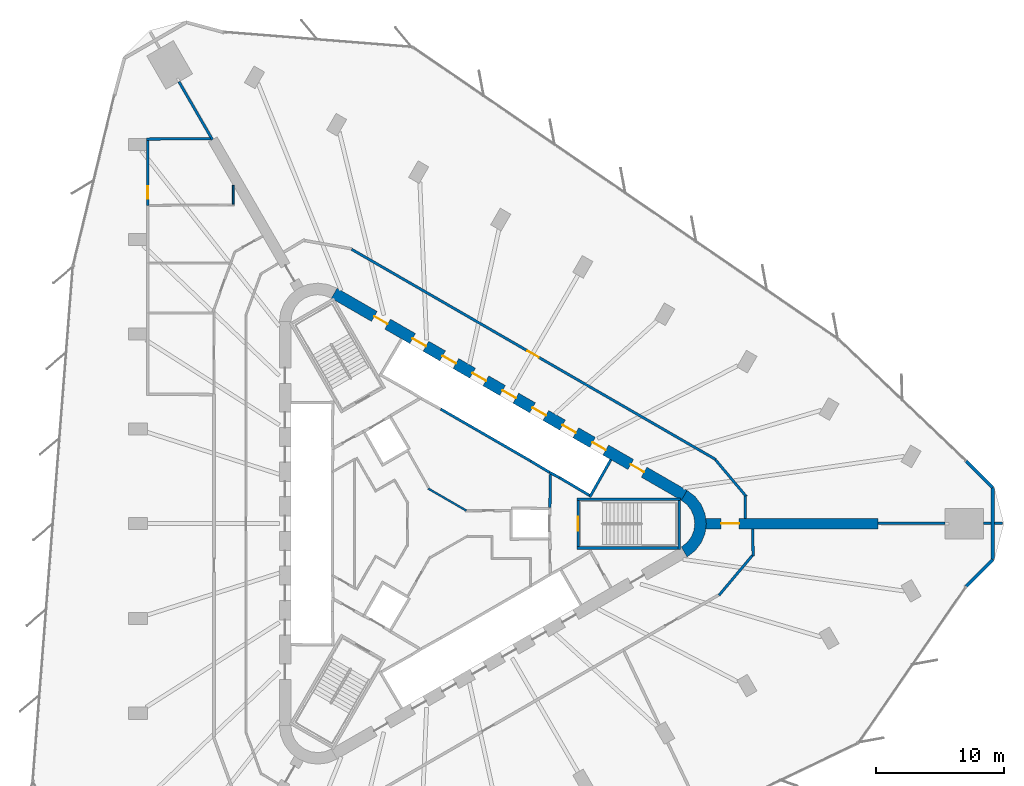
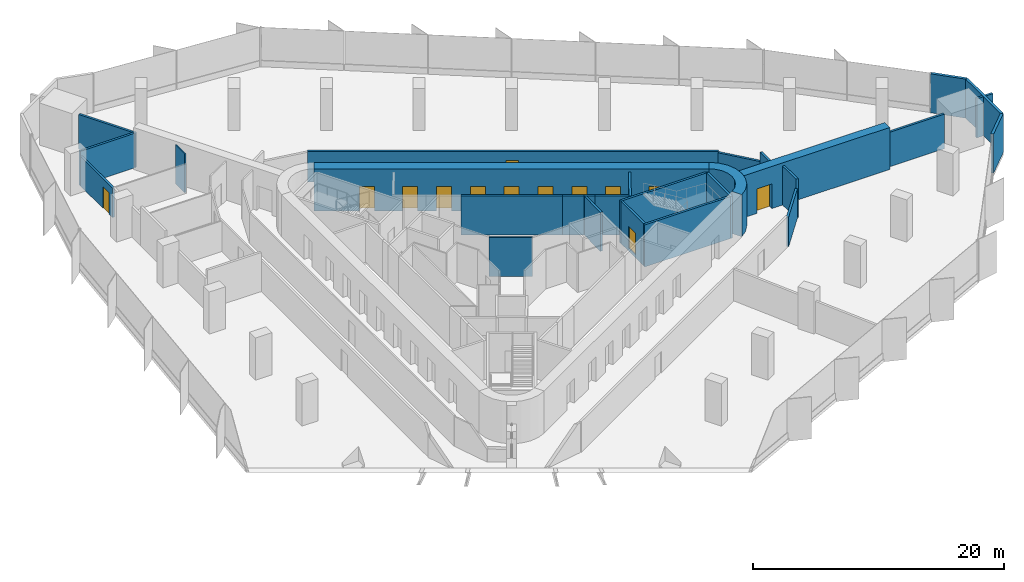
# One storey, part 12 of 14: 29 walls, 13 doors, 13 openings.
"""IFC4 building model written with IfcOpenShell, lengths in metres."""

from ifc_helpers import new_model, si_unit, direction, frame, frame_2d, origin, place, context, subcontext, project, spatial, polyline, rectangle, outline, extrude, material, layer, layer_set, type_object, element, fill, save


model = new_model("IFC4")

# Units and contexts
model_context = context("Model", 3, precision=1e-05, world=origin(), true_north=direction((0.0, 1.0)))
body_context = subcontext(model_context, "Body", "Model", "MODEL_VIEW")
ifc_project = project(units=[si_unit("LENGTHUNIT", "METRE"), si_unit("AREAUNIT", "SQUARE_METRE"), si_unit("VOLUMEUNIT", "CUBIC_METRE"), si_unit("PLANEANGLEUNIT", "RADIAN"), si_unit("MASSUNIT", "GRAM", prefix="KILO")], contexts=[model_context])

# Site, building, storey
site_placement = place(None, origin())
site = spatial("IfcSite", under=ifc_project, at=site_placement, CompositionType="ELEMENT")
building_placement = place(site_placement, origin())
building = spatial("IfcBuilding", under=site, at=building_placement, Name="Tanit Gate Tower", CompositionType="ELEMENT")
storey_placement = place(building_placement, frame((0.0, 0.0, 82.39990234375)))
storey = spatial("IfcBuildingStorey", under=building, at=storey_placement, Name="L16", CompositionType="ELEMENT", Elevation=82.39990234375)

# Wall, opening, door
ifc_material_1 = material(Name="Concrete C60/75", Category="concrete")
ifc_layer_1 = layer(ifc_material_1, 0.800048828125)
ifc_layer_set_1 = layer_set([ifc_layer_1], Name="BUTTRESS FIN 800 C60/75")
wall_type_1 = type_object("IfcWallType", Name="BUTTRESS FIN 800 C60/75", PredefinedType="SHEAR", material=ifc_layer_set_1)
wall_1_placement = place(storey_placement, frame((21.14990234375, 0.0, 0.0), z_axis=(0.0, 0.0, 1.0), x_axis=(1.0, 0.0, 0.0)))
wall_1 = element("IfcWall", 1, at=wall_1_placement, inside=storey, type_object=wall_type_1, Name="BUTTRESS FIN", PredefinedType="SHEAR", context=body_context, shape_type="SweptSolid", body=[
    extrude(rectangle(XDim=13.455322265625, YDim=0.800048828125, at=frame_2d((6.7275390625, 0.0))), origin(), (0.0, 0.0, 1.0), 4.10009765625),
])
opening_1_placement = place(wall_1_placement, frame((1.199951171875, 0.0, 0.0)))
opening_1 = element("IfcOpeningElement", 2, at=opening_1_placement, cuts=wall_1, Name="Opening P14-S03-F-E-1", PredefinedType="OPENING", context=body_context, shape_type="SweptSolid", body=[
    extrude(rectangle(XDim=1.39990234375, YDim=2.39990234375, at=frame_2d((0.699951171875, 1.199951171875))), frame((0.0, 0.41015625, 0.0), z_axis=(0.0, -1.0, 0.0), x_axis=(1.0, 0.0, 0.0)), (0.0, 0.0, 1.0), 0.820068359375),
])
ifc_material_2 = material(Name="Timber door leaf", Category="wood")
door_type_1 = type_object("IfcDoorType", Name="INT-DOOR-FIN-PAIR-1400", OperationType="NOTDEFINED", PredefinedType="NOTDEFINED", material=ifc_material_2)
door_1_placement = place(opening_1_placement, origin())
door_1 = element("IfcDoor", 3, at=door_1_placement, inside=storey, type_object=door_type_1, Name="Door P14-S03-F-E-1", OperationType="DOUBLE_DOOR_SINGLE_SWING", OverallHeight=2.39990234375, OverallWidth=1.39990234375, PredefinedType="NOTDEFINED", context=body_context, shape_type="SweptSolid", body=[
    extrude(rectangle(XDim=1.39990234375, YDim=2.39990234375, at=frame_2d((0.699951171875, 1.199951171875))), frame((0.0, 0.02490234375, 0.0), z_axis=(0.0, -1.0, 0.0), x_axis=(1.0, 0.0, 0.0)), (0.0, 0.0, 1.0), 0.050048828125),
])
fill(opening_1, door_1)

# Wall, openings, doors
ifc_material_3 = material(Name="Concrete C60/75", Category="concrete")
ifc_layer_2 = layer(ifc_material_3, 0.89990234375)
ifc_layer_set_2 = layer_set([ifc_layer_2], Name="CORE WALL 900 C60/75")
wall_type_2 = type_object("IfcWallType", Name="CORE WALL 900 C60/75", PredefinedType="SHEAR", material=ifc_layer_set_2)
wall_2_placement = place(storey_placement, frame((19.47509765625, 2.20849609375, 0.0), z_axis=(0.0, 0.0, 1.0), x_axis=(-0.866028369851, 0.499994862586, 0.0)))
wall_2 = element("IfcWall", 4, at=wall_2_placement, inside=storey, type_object=wall_type_2, Name="CORE WALL", PredefinedType="SHEAR", context=body_context, shape_type="SweptSolid", body=[
    extrude(rectangle(XDim=31.523193359375, YDim=0.89990234375, at=frame_2d((15.76171875, 0.0))), origin(), (0.0, 0.0, 1.0), 4.10009765625),
])
opening_2_placement = place(wall_2_placement, frame((7.0615234375, 0.0, 0.0)))
opening_2 = element("IfcOpeningElement", 5, at=opening_2_placement, cuts=wall_2, Name="Opening LDLL8-S03", PredefinedType="OPENING", context=body_context, shape_type="SweptSolid", body=[
    extrude(rectangle(XDim=1.199951171875, YDim=2.39990234375, at=frame_2d((0.60009765625, 1.199951171875))), frame((0.0, 0.4599609375, 0.0), z_axis=(0.0, -1.0, 0.0), x_axis=(1.0, 0.0, 0.0)), (0.0, 0.0, 1.0), 0.919921875),
])
opening_3_placement = place(wall_2_placement, frame((9.76171875, 0.0, 0.0)))
opening_3 = element("IfcOpeningElement", 6, at=opening_3_placement, cuts=wall_2, Name="Opening LDLL9-S03", PredefinedType="OPENING", context=body_context, shape_type="SweptSolid", body=[
    extrude(rectangle(XDim=1.199951171875, YDim=2.39990234375, at=frame_2d((0.60009765625, 1.199951171875))), frame((0.0, 0.4599609375, 0.0), z_axis=(0.0, -1.0, 0.0), x_axis=(1.0, 0.0, 0.0)), (0.0, 0.0, 1.0), 0.919921875),
])
opening_4_placement = place(wall_2_placement, frame((12.461669921875, 0.0, 0.0)))
opening_4 = element("IfcOpeningElement", 7, at=opening_4_placement, cuts=wall_2, Name="Opening LDLL10-S03", PredefinedType="OPENING", context=body_context, shape_type="SweptSolid", body=[
    extrude(rectangle(XDim=1.199951171875, YDim=2.39990234375, at=frame_2d((0.60009765625, 1.199951171875))), frame((0.0, 0.4599609375, 0.0), z_axis=(0.0, -1.0, 0.0), x_axis=(1.0, 0.0, 0.0)), (0.0, 0.0, 1.0), 0.919921875),
])
opening_5_placement = place(wall_2_placement, frame((15.16162109375, 0.0, 0.0)))
opening_5 = element("IfcOpeningElement", 8, at=opening_5_placement, cuts=wall_2, Name="Opening LDSL1-S03", PredefinedType="OPENING", context=body_context, shape_type="SweptSolid", body=[
    extrude(rectangle(XDim=1.199951171875, YDim=2.39990234375, at=frame_2d((0.60009765625, 1.199951171875))), frame((0.0, 0.4599609375, 0.0), z_axis=(0.0, -1.0, 0.0), x_axis=(1.0, 0.0, 0.0)), (0.0, 0.0, 1.0), 0.919921875),
])
opening_6_placement = place(wall_2_placement, frame((17.861572265625, 0.0, 0.0)))
opening_6 = element("IfcOpeningElement", 9, at=opening_6_placement, cuts=wall_2, Name="Opening LDSL2-S03", PredefinedType="OPENING", context=body_context, shape_type="SweptSolid", body=[
    extrude(rectangle(XDim=1.199951171875, YDim=2.39990234375, at=frame_2d((0.60009765625, 1.199951171875))), frame((0.0, 0.4599609375, 0.0), z_axis=(0.0, -1.0, 0.0), x_axis=(1.0, 0.0, 0.0)), (0.0, 0.0, 1.0), 0.919921875),
])
opening_7_placement = place(wall_2_placement, frame((20.5615234375, 0.0, 0.0)))
opening_7 = element("IfcOpeningElement", 10, at=opening_7_placement, cuts=wall_2, Name="Opening LDSL3-S03", PredefinedType="OPENING", context=body_context, shape_type="SweptSolid", body=[
    extrude(rectangle(XDim=1.199951171875, YDim=2.39990234375, at=frame_2d((0.60009765625, 1.199951171875))), frame((0.0, 0.4599609375, 0.0), z_axis=(0.0, -1.0, 0.0), x_axis=(1.0, 0.0, 0.0)), (0.0, 0.0, 1.0), 0.919921875),
])
opening_8_placement = place(wall_2_placement, frame((23.26171875, 0.0, 0.0)))
opening_8 = element("IfcOpeningElement", 11, at=opening_8_placement, cuts=wall_2, Name="Opening LDSL4-S03", PredefinedType="OPENING", context=body_context, shape_type="SweptSolid", body=[
    extrude(rectangle(XDim=1.199951171875, YDim=2.39990234375, at=frame_2d((0.60009765625, 1.199951171875))), frame((0.0, 0.4599609375, 0.0), z_axis=(0.0, -1.0, 0.0), x_axis=(1.0, 0.0, 0.0)), (0.0, 0.0, 1.0), 0.919921875),
])
opening_9_placement = place(wall_2_placement, frame((3.611572265625, 0.0, 0.0)))
opening_9 = element("IfcOpeningElement", 12, at=opening_9_placement, cuts=wall_2, Name="Opening F12-S03-FL1", PredefinedType="OPENING", context=body_context, shape_type="SweptSolid", body=[
    extrude(rectangle(XDim=1.199951171875, YDim=2.39990234375, at=frame_2d((0.60009765625, 1.199951171875))), frame((0.0, 0.4599609375, 0.0), z_axis=(0.0, -1.0, 0.0), x_axis=(1.0, 0.0, 0.0)), (0.0, 0.0, 1.0), 0.919921875),
])
opening_10_placement = place(wall_2_placement, frame((26.711669921875, 0.0, 0.0)))
opening_10 = element("IfcOpeningElement", 13, at=opening_10_placement, cuts=wall_2, Name="Opening F12-S03-S2", PredefinedType="OPENING", context=body_context, shape_type="SweptSolid", body=[
    extrude(rectangle(XDim=1.199951171875, YDim=2.39990234375, at=frame_2d((0.60009765625, 1.199951171875))), frame((0.0, 0.4599609375, 0.0), z_axis=(0.0, -1.0, 0.0), x_axis=(1.0, 0.0, 0.0)), (0.0, 0.0, 1.0), 0.919921875),
])
ifc_material_4 = material(Name="Fire-rated steel door leaf", Category="steel")
door_type_2 = type_object("IfcDoorType", Name="INT-DOOR-FIRE-LOBBY-1200", OperationType="NOTDEFINED", PredefinedType="USERDEFINED", material=ifc_material_4)
door_2_placement = place(opening_9_placement, origin())
door_2 = element("IfcDoor", 14, at=door_2_placement, inside=storey, type_object=door_type_2, Name="Door F12-S03-FL1", ObjectType="FIRE DOOR", OperationType="SINGLE_SWING_LEFT", OverallHeight=2.39990234375, OverallWidth=1.199951171875, PredefinedType="USERDEFINED", context=body_context, shape_type="SweptSolid", body=[
    extrude(rectangle(XDim=1.199951171875, YDim=2.39990234375, at=frame_2d((0.60009765625, 1.199951171875))), frame((0.0, 0.02490234375, 0.0), z_axis=(0.0, -1.0, 0.0), x_axis=(1.0, 0.0, 0.0)), (0.0, 0.0, 1.0), 0.050048828125),
])
fill(opening_9, door_2)
door_3_placement = place(opening_10_placement, origin())
door_3 = element("IfcDoor", 15, at=door_3_placement, inside=storey, type_object=door_type_2, Name="Door F12-S03-S2", ObjectType="FIRE DOOR", OperationType="SINGLE_SWING_LEFT", OverallHeight=2.39990234375, OverallWidth=1.199951171875, PredefinedType="USERDEFINED", context=body_context, shape_type="SweptSolid", body=[
    extrude(rectangle(XDim=1.199951171875, YDim=2.39990234375, at=frame_2d((0.60009765625, 1.199951171875))), frame((0.0, 0.02490234375, 0.0), z_axis=(0.0, -1.0, 0.0), x_axis=(1.0, 0.0, 0.0)), (0.0, 0.0, 1.0), 0.050048828125),
])
fill(opening_10, door_3)
ifc_material_5 = material(Name="Stainless steel sliding door leaf", Category="steel")
door_type_3 = type_object("IfcDoorType", Name="INT-DOOR-LANDING-1200", OperationType="NOTDEFINED", PredefinedType="USERDEFINED", material=ifc_material_5)
door_4_placement = place(opening_2_placement, origin())
door_4 = element("IfcDoor", 16, at=door_4_placement, inside=storey, type_object=door_type_3, Name="Door LDLL8-S03", ObjectType="LANDING DOOR", OperationType="SLIDING_TO_LEFT", OverallHeight=2.39990234375, OverallWidth=1.199951171875, PredefinedType="USERDEFINED", context=body_context, shape_type="SweptSolid", body=[
    extrude(rectangle(XDim=1.199951171875, YDim=2.39990234375, at=frame_2d((0.60009765625, 1.199951171875))), frame((0.0, 0.02490234375, 0.0), z_axis=(0.0, -1.0, 0.0), x_axis=(1.0, 0.0, 0.0)), (0.0, 0.0, 1.0), 0.050048828125),
])
fill(opening_2, door_4)
door_5_placement = place(opening_3_placement, origin())
door_5 = element("IfcDoor", 17, at=door_5_placement, inside=storey, type_object=door_type_3, Name="Door LDLL9-S03", ObjectType="LANDING DOOR", OperationType="SLIDING_TO_LEFT", OverallHeight=2.39990234375, OverallWidth=1.199951171875, PredefinedType="USERDEFINED", context=body_context, shape_type="SweptSolid", body=[
    extrude(rectangle(XDim=1.199951171875, YDim=2.39990234375, at=frame_2d((0.60009765625, 1.199951171875))), frame((0.0, 0.02490234375, 0.0), z_axis=(0.0, -1.0, 0.0), x_axis=(1.0, 0.0, 0.0)), (0.0, 0.0, 1.0), 0.050048828125),
])
fill(opening_3, door_5)
door_6_placement = place(opening_4_placement, origin())
door_6 = element("IfcDoor", 18, at=door_6_placement, inside=storey, type_object=door_type_3, Name="Door LDLL10-S03", ObjectType="LANDING DOOR", OperationType="SLIDING_TO_LEFT", OverallHeight=2.39990234375, OverallWidth=1.199951171875, PredefinedType="USERDEFINED", context=body_context, shape_type="SweptSolid", body=[
    extrude(rectangle(XDim=1.199951171875, YDim=2.39990234375, at=frame_2d((0.60009765625, 1.199951171875))), frame((0.0, 0.02490234375, 0.0), z_axis=(0.0, -1.0, 0.0), x_axis=(1.0, 0.0, 0.0)), (0.0, 0.0, 1.0), 0.050048828125),
])
fill(opening_4, door_6)
door_7_placement = place(opening_5_placement, origin())
door_7 = element("IfcDoor", 19, at=door_7_placement, inside=storey, type_object=door_type_3, Name="Door LDSL1-S03", ObjectType="LANDING DOOR", OperationType="SLIDING_TO_LEFT", OverallHeight=2.39990234375, OverallWidth=1.199951171875, PredefinedType="USERDEFINED", context=body_context, shape_type="SweptSolid", body=[
    extrude(rectangle(XDim=1.199951171875, YDim=2.39990234375, at=frame_2d((0.60009765625, 1.199951171875))), frame((0.0, 0.02490234375, 0.0), z_axis=(0.0, -1.0, 0.0), x_axis=(1.0, 0.0, 0.0)), (0.0, 0.0, 1.0), 0.050048828125),
])
fill(opening_5, door_7)
door_8_placement = place(opening_6_placement, origin())
door_8 = element("IfcDoor", 20, at=door_8_placement, inside=storey, type_object=door_type_3, Name="Door LDSL2-S03", ObjectType="LANDING DOOR", OperationType="SLIDING_TO_LEFT", OverallHeight=2.39990234375, OverallWidth=1.199951171875, PredefinedType="USERDEFINED", context=body_context, shape_type="SweptSolid", body=[
    extrude(rectangle(XDim=1.199951171875, YDim=2.39990234375, at=frame_2d((0.60009765625, 1.199951171875))), frame((0.0, 0.02490234375, 0.0), z_axis=(0.0, -1.0, 0.0), x_axis=(1.0, 0.0, 0.0)), (0.0, 0.0, 1.0), 0.050048828125),
])
fill(opening_6, door_8)
door_9_placement = place(opening_7_placement, origin())
door_9 = element("IfcDoor", 21, at=door_9_placement, inside=storey, type_object=door_type_3, Name="Door LDSL3-S03", ObjectType="LANDING DOOR", OperationType="SLIDING_TO_LEFT", OverallHeight=2.39990234375, OverallWidth=1.199951171875, PredefinedType="USERDEFINED", context=body_context, shape_type="SweptSolid", body=[
    extrude(rectangle(XDim=1.199951171875, YDim=2.39990234375, at=frame_2d((0.60009765625, 1.199951171875))), frame((0.0, 0.02490234375, 0.0), z_axis=(0.0, -1.0, 0.0), x_axis=(1.0, 0.0, 0.0)), (0.0, 0.0, 1.0), 0.050048828125),
])
fill(opening_7, door_9)
door_10_placement = place(opening_8_placement, origin())
door_10 = element("IfcDoor", 22, at=door_10_placement, inside=storey, type_object=door_type_3, Name="Door LDSL4-S03", ObjectType="LANDING DOOR", OperationType="SLIDING_TO_LEFT", OverallHeight=2.39990234375, OverallWidth=1.199951171875, PredefinedType="USERDEFINED", context=body_context, shape_type="SweptSolid", body=[
    extrude(rectangle(XDim=1.199951171875, YDim=2.39990234375, at=frame_2d((0.60009765625, 1.199951171875))), frame((0.0, 0.02490234375, 0.0), z_axis=(0.0, -1.0, 0.0), x_axis=(1.0, 0.0, 0.0)), (0.0, 0.0, 1.0), 0.050048828125),
])
fill(opening_8, door_10)

# Walls
wall_3_placement = place(storey_placement, origin())
element("IfcWall", 23, at=wall_3_placement, inside=storey, type_object=wall_type_2, Name="CORE WALL CORNER", PredefinedType="SHEAR", context=body_context, shape_type="SweptSolid", body=[
    extrude(outline(polyline([(19.699951171875, -2.59814453125), (20.3212890625, -2.121337890625), (20.798095703125, -1.5), (21.097900390625, -0.776611328125), (21.199951171875, 0.0), (21.097900390625, 0.776611328125), (20.798095703125, 1.5), (20.3212890625, 2.121337890625), (19.699951171875, 2.59814453125), (19.25, 1.818603515625), (19.684814453125, 1.48486328125), (20.018798828125, 1.050048828125), (20.228515625, 0.54345703125), (20.300048828125, 0.0), (20.228515625, -0.54345703125), (20.018798828125, -1.050048828125), (19.684814453125, -1.48486328125), (19.25, -1.818603515625), (19.699951171875, -2.59814453125)])), origin(), (0.0, 0.0, 1.0), 4.10009765625),
])
ifc_material_6 = material(Name="Concrete C30/37 with bronze anodised aluminium cladding", Category="concrete")
ifc_layer_3 = layer(ifc_material_6, 0.239990234375)
ifc_layer_set_3 = layer_set([ifc_layer_3], Name="Facade wall bronze clad 240")
wall_type_3 = type_object("IfcWallType", Name="Facade wall bronze clad 240", PredefinedType="SOLIDWALL", material=ifc_layer_set_3)
wall_4_placement = place(storey_placement, frame((41.4580078125, -4.889892578125, 0.0), z_axis=(0.0, 0.0, 1.0), x_axis=(0.707106781187, 0.707106781187, 0.0)))
element("IfcWall", 24, at=wall_4_placement, inside=storey, type_object=wall_type_3, Name="Bronze-clad facade wall L16 E.arc1", PredefinedType="SOLIDWALL", context=body_context, shape_type="SweptSolid", body=[
    extrude(rectangle(XDim=2.947998046875, YDim=0.239990234375, at=frame_2d((1.47412109375, 0.0))), origin(), (0.0, 0.0, 1.0), 3.800048828125),
])
wall_5_placement = place(storey_placement, frame((43.54248046875, -2.805419921875, 0.0), z_axis=(0.0, 0.0, 1.0), x_axis=(0.0, 1.0, 0.0)))
element("IfcWall", 25, at=wall_5_placement, inside=storey, type_object=wall_type_3, Name="Bronze-clad facade wall L16 E.arc2", PredefinedType="SOLIDWALL", context=body_context, shape_type="SweptSolid", body=[
    extrude(rectangle(XDim=5.61083984375, YDim=0.239990234375, at=frame_2d((2.805419921875, 0.0))), origin(), (0.0, 0.0, 1.0), 3.800048828125),
])
wall_6_placement = place(storey_placement, frame((43.54248046875, 2.805419921875, 0.0), z_axis=(0.0, 0.0, 1.0), x_axis=(-0.707106781187, 0.707106781187, 0.0)))
element("IfcWall", 26, at=wall_6_placement, inside=storey, type_object=wall_type_3, Name="Bronze-clad facade wall L16 E.arc3", PredefinedType="SOLIDWALL", context=body_context, shape_type="SweptSolid", body=[
    extrude(rectangle(XDim=2.935546875, YDim=0.239990234375, at=frame_2d((1.4677734375, 0.0))), origin(), (0.0, 0.0, 1.0), 3.800048828125),
])
ifc_material_7 = material(Name="Fire-rated gypsum board partition")
ifc_layer_4 = layer(ifc_material_7, 0.199951171875)
ifc_layer_set_4 = layer_set([ifc_layer_4], Name="INT-WALL-COMPARTMENT")
wall_type_4 = type_object("IfcWallType", Name="INT-WALL-COMPARTMENT", PredefinedType="PARTITIONING", material=ifc_layer_set_4)
wall_7_placement = place(storey_placement, frame((9.0009765625, 1.27001953125, 0.0), z_axis=(0.0, 0.0, 1.0), x_axis=(0.010784614026, 0.999941844359, 0.0)))
element("IfcWall", 27, at=wall_7_placement, inside=storey, type_object=wall_type_4, Name="Wall Compartment W059", PredefinedType="PARTITIONING", context=body_context, shape_type="SweptSolid", body=[
    extrude(rectangle(XDim=2.580810546875, YDim=0.199951171875, at=frame_2d((1.29052734375, 0.0))), origin(), (0.0, 0.0, 1.0), 3.800048828125),
])

# Wall, opening, door
wall_8_placement = place(storey_placement, frame((21.944091796875, 4.99755859375, 0.0), z_axis=(0.0, 0.0, 1.0), x_axis=(-0.866025615729, 0.499999632902, 0.0)))
wall_8 = element("IfcWall", 28, at=wall_8_placement, inside=storey, type_object=wall_type_4, Name="Wall Compartment W098", PredefinedType="PARTITIONING", context=body_context, shape_type="SweptSolid", body=[
    extrude(rectangle(XDim=32.810546875, YDim=0.199951171875, at=frame_2d((16.4052734375, 0.0))), origin(), (0.0, 0.0, 1.0), 2.97998046875),
])
opening_11_placement = place(wall_8_placement, frame((15.955322265625, 0.0, 0.0)))
opening_11 = element("IfcOpeningElement", 29, at=opening_11_placement, cuts=wall_8, Name="Opening F10-S03-21", PredefinedType="OPENING", context=body_context, shape_type="SweptSolid", body=[
    extrude(rectangle(XDim=1.0, YDim=2.10009765625, at=frame_2d((0.5, 1.050048828125))), frame((0.0, 0.10986328125, 0.0), z_axis=(0.0, -1.0, 0.0), x_axis=(1.0, 0.0, 0.0)), (0.0, 0.0, 1.0), 0.219970703125),
])
ifc_material_8 = material(Name="Fire-rated steel door leaf", Category="steel")
door_type_4 = type_object("IfcDoorType", Name="INT-DOOR-FIRE-1000", OperationType="NOTDEFINED", PredefinedType="USERDEFINED", material=ifc_material_8)
door_11_placement = place(opening_11_placement, origin())
door_11 = element("IfcDoor", 30, at=door_11_placement, inside=storey, type_object=door_type_4, Name="Door F10-S03-21", ObjectType="FIRE DOOR", OperationType="SINGLE_SWING_RIGHT", OverallHeight=2.10009765625, OverallWidth=1.0, PredefinedType="USERDEFINED", context=body_context, shape_type="SweptSolid", body=[
    extrude(rectangle(XDim=1.0, YDim=2.10009765625, at=frame_2d((0.5, 1.050048828125))), frame((0.0, 0.02490234375, 0.0), z_axis=(0.0, -1.0, 0.0), x_axis=(1.0, 0.0, 0.0)), (0.0, 0.0, 1.0), 0.050048828125),
])
fill(opening_11, door_11)

# Walls
wall_9_placement = place(storey_placement, frame((24.32080078125, 2.11181640625, 0.0), z_axis=(0.0, 0.0, 1.0), x_axis=(-0.642799287091, 0.766034644461, 0.0)))
element("IfcWall", 31, at=wall_9_placement, inside=storey, type_object=wall_type_4, Name="Wall Compartment W099", PredefinedType="PARTITIONING", context=body_context, shape_type="SweptSolid", body=[
    extrude(rectangle(XDim=3.732421875, YDim=0.199951171875, at=frame_2d((1.8662109375, 0.0))), origin(), (0.0, 0.0, 1.0), 2.880126953125),
])
wall_10_placement = place(storey_placement, frame((24.2216796875, 0.39990234375, 0.0), z_axis=(0.0, 0.0, 1.0), x_axis=(0.013657262725, 0.999906735238, 0.0)))
element("IfcWall", 32, at=wall_10_placement, inside=storey, type_object=wall_type_4, Name="Wall Compartment W100", PredefinedType="PARTITIONING", context=body_context, shape_type="SweptSolid", body=[
    extrude(rectangle(XDim=1.751953125, YDim=0.199951171875, at=frame_2d((0.8759765625, 0.0))), origin(), (0.0, 0.0, 1.0), 3.800048828125),
])
wall_11_placement = place(storey_placement, frame((24.84765625, -2.53515625, 0.0), z_axis=(0.0, 0.0, 1.0), x_axis=(-0.012347560796, 0.999923765965, 0.0)))
element("IfcWall", 33, at=wall_11_placement, inside=storey, type_object=wall_type_4, Name="Wall Compartment W101", PredefinedType="PARTITIONING", context=body_context, shape_type="SweptSolid", body=[
    extrude(rectangle(XDim=2.135498046875, YDim=0.199951171875, at=frame_2d((1.06787109375, 0.0))), origin(), (0.0, 0.0, 1.0), 3.800048828125),
])
wall_12_placement = place(storey_placement, frame((22.184814453125, -5.5908203125, 0.0), z_axis=(0.0, 0.0, 1.0), x_axis=(0.642774966428, 0.766055051894, 0.0)))
element("IfcWall", 34, at=wall_12_placement, inside=storey, type_object=wall_type_4, Name="Wall Compartment W102", PredefinedType="PARTITIONING", context=body_context, shape_type="SweptSolid", body=[
    extrude(rectangle(XDim=4.091552734375, YDim=0.199951171875, at=frame_2d((2.0458984375, 0.0))), origin(), (0.0, 0.0, 1.0), 2.880126953125),
])
wall_13_placement = place(storey_placement, frame((-19.93505859375, 34.46875, 0.0), z_axis=(0.0, 0.0, 1.0), x_axis=(0.49998731371, -0.866032728093, 0.0)))
element("IfcWall", 35, at=wall_13_placement, inside=storey, type_object=wall_type_4, Name="Wall Compartment W108", PredefinedType="PARTITIONING", context=body_context, shape_type="SweptSolid", body=[
    extrude(rectangle(XDim=5.213134765625, YDim=0.199951171875, at=frame_2d((2.6064453125, 0.0))), origin(), (0.0, 0.0, 1.0), 3.3701171875),
])

# Wall, opening, door
wall_14_placement = place(storey_placement, frame((-22.3701171875, 24.8291015625, 0.0), z_axis=(0.0, 0.0, 1.0), x_axis=(0.0, 1.0, 0.0)))
wall_14 = element("IfcWall", 36, at=wall_14_placement, inside=storey, type_object=wall_type_4, Name="Wall Compartment W116", PredefinedType="PARTITIONING", context=body_context, shape_type="SweptSolid", body=[
    extrude(rectangle(XDim=5.07080078125, YDim=0.199951171875, at=frame_2d((2.535400390625, 0.0))), origin(), (0.0, 0.0, 1.0), 2.880126953125),
])
opening_12_placement = place(wall_14_placement, frame((0.5, 0.0, 0.0)))
opening_12 = element("IfcOpeningElement", 37, at=opening_12_placement, cuts=wall_14, Name="Opening F10-S03-19", PredefinedType="OPENING", context=body_context, shape_type="SweptSolid", body=[
    extrude(rectangle(XDim=1.0, YDim=2.10009765625, at=frame_2d((0.5, 1.050048828125))), frame((0.0, 0.10986328125, 0.0), z_axis=(0.0, -1.0, 0.0), x_axis=(1.0, 0.0, 0.0)), (0.0, 0.0, 1.0), 0.219970703125),
])
door_12_placement = place(opening_12_placement, origin())
door_12 = element("IfcDoor", 38, at=door_12_placement, inside=storey, type_object=door_type_4, Name="Door F10-S03-19", ObjectType="FIRE DOOR", OperationType="SINGLE_SWING_RIGHT", OverallHeight=2.10009765625, OverallWidth=1.0, PredefinedType="USERDEFINED", context=body_context, shape_type="SweptSolid", body=[
    extrude(rectangle(XDim=1.0, YDim=2.10009765625, at=frame_2d((0.5, 1.050048828125))), frame((0.0, 0.02490234375, 0.0), z_axis=(0.0, -1.0, 0.0), x_axis=(1.0, 0.0, 0.0)), (0.0, 0.0, 1.0), 0.050048828125),
])
fill(opening_12, door_12)

# Walls
wall_15_placement = place(storey_placement, frame((-17.4873046875, 30.029052734375, 0.0), z_axis=(0.0, 0.0, 1.0), x_axis=(-0.999982425384, -0.005928652725, 0.0)))
element("IfcWall", 39, at=wall_15_placement, inside=storey, type_object=wall_type_4, Name="Wall Compartment W115", PredefinedType="PARTITIONING", context=body_context, shape_type="SweptSolid", body=[
    extrude(rectangle(XDim=4.982666015625, YDim=0.199951171875, at=frame_2d((2.4912109375, 0.0))), origin(), (0.0, 0.0, 1.0), 3.3701171875),
])
wall_16_placement = place(storey_placement, frame((34.605224609375, 0.01953125, 0.0), z_axis=(0.0, 0.0, 1.0), x_axis=(0.999997972374, 0.002013764474, 0.0)))
element("IfcWall", 40, at=wall_16_placement, inside=storey, type_object=wall_type_4, Name="Wall Compartment W117", PredefinedType="PARTITIONING", context=body_context, shape_type="SweptSolid", body=[
    extrude(rectangle(XDim=5.213134765625, YDim=0.199951171875, at=frame_2d((2.6064453125, 0.0))), origin(), (0.0, 0.0, 1.0), 3.3701171875),
])
wall_17_placement = place(storey_placement, frame((42.818359375, 0.030029296875, 0.0), z_axis=(0.0, 0.0, 1.0), x_axis=(1.0, 0.0, 0.0)))
element("IfcWall", 41, at=wall_17_placement, inside=storey, type_object=wall_type_4, Name="Wall Compartment W118", PredefinedType="PARTITIONING", context=body_context, shape_type="SweptSolid", body=[
    extrude(rectangle(XDim=0.60400390625, YDim=0.199951171875, at=frame_2d((0.302001953125, 0.0))), origin(), (0.0, 0.0, 1.0), 3.800048828125),
])
wall_18_placement = place(storey_placement, frame((43.662353515625, 0.030029296875, 0.0), z_axis=(0.0, 0.0, 1.0), x_axis=(1.0, 0.0, 0.0)))
element("IfcWall", 42, at=wall_18_placement, inside=storey, type_object=wall_type_4, Name="Wall Compartment W118x1", PredefinedType="PARTITIONING", context=body_context, shape_type="SweptSolid", body=[
    extrude(rectangle(XDim=0.623779296875, YDim=0.199951171875, at=frame_2d((0.31201171875, 0.0))), origin(), (0.0, 0.0, 1.0), 3.800048828125),
])
ifc_material_9 = material(Name="Gypsum board partition")
ifc_layer_5 = layer(ifc_material_9, 0.1201171875)
ifc_layer_set_5 = layer_set([ifc_layer_5], Name="INT-WALL-PARTITION")
wall_type_5 = type_object("IfcWallType", Name="INT-WALL-PARTITION", PredefinedType="PARTITIONING", material=ifc_layer_set_5)
wall_19_placement = place(storey_placement, frame((-15.699951171875, 24.9189453125, 0.0), z_axis=(0.0, 0.0, 1.0), x_axis=(0.0, 1.0, 0.0)))
element("IfcWall", 43, at=wall_19_placement, inside=storey, type_object=wall_type_5, Name="Wall Partition W123", PredefinedType="PARTITIONING", context=body_context, shape_type="SweptSolid", body=[
    extrude(rectangle(XDim=1.474365234375, YDim=0.1201171875, at=frame_2d((0.7373046875, 0.0))), origin(), (0.0, 0.0, 1.0), 3.800048828125),
])
ifc_material_10 = material(Name="Fire-rated gypsum board partition")
ifc_layer_6 = layer(ifc_material_10, 0.14990234375)
ifc_layer_set_6 = layer_set([ifc_layer_6], Name="INT-WALL-RISER")
wall_type_6 = type_object("IfcWallType", Name="INT-WALL-RISER", PredefinedType="PLUMBINGWALL", material=ifc_layer_set_6)
wall_20_placement = place(storey_placement, frame((-0.5, 2.73876953125, 0.0), z_axis=(0.0, 0.0, 1.0), x_axis=(0.866029020252, -0.499993736042, 0.0)))
element("IfcWall", 44, at=wall_20_placement, inside=storey, type_object=wall_type_6, Name="Wall Riser W066", PredefinedType="PLUMBINGWALL", context=body_context, shape_type="SweptSolid", body=[
    extrude(rectangle(XDim=3.45361328125, YDim=0.14990234375, at=frame_2d((1.726806640625, 0.0))), origin(), (0.0, 0.0, 1.0), 3.800048828125),
])
ifc_material_11 = material(Name="Gypsum shaft wall system")
ifc_layer_7 = layer(ifc_material_11, 0.199951171875)
ifc_layer_set_7 = layer_set([ifc_layer_7], Name="INT-WALL-SHAFT")
wall_type_7 = type_object("IfcWallType", Name="INT-WALL-SHAFT", PredefinedType="PLUMBINGWALL", material=ifc_layer_set_7)
wall_21_placement = place(storey_placement, frame((7.497314453125, 4.885986328125, 0.0), z_axis=(0.0, 0.0, 1.0), x_axis=(-0.866030989016, 0.499990325971, 0.0)))
element("IfcWall", 45, at=wall_21_placement, inside=storey, type_object=wall_type_7, Name="Wall Shaft W003", PredefinedType="PLUMBINGWALL", context=body_context, shape_type="SweptSolid", body=[
    extrude(rectangle(XDim=8.099853515625, YDim=0.199951171875, at=frame_2d((4.0498046875, 0.0))), origin(), (0.0, 0.0, 1.0), 3.800048828125),
])
wall_22_placement = place(storey_placement, frame((12.10986328125, 2.07275390625, 0.0), z_axis=(0.0, 0.0, 1.0), x_axis=(0.49196600604, 0.870614408852, 0.0)))
element("IfcWall", 46, at=wall_22_placement, inside=storey, type_object=wall_type_7, Name="Wall Shaft W013", PredefinedType="PLUMBINGWALL", context=body_context, shape_type="SweptSolid", body=[
    extrude(rectangle(XDim=3.35009765625, YDim=0.199951171875, at=frame_2d((1.675048828125, 0.0))), origin(), (0.0, 0.0, 1.0), 3.800048828125),
])
wall_23_placement = place(storey_placement, frame((12.072998046875, 2.2109375, 0.0), z_axis=(0.0, 0.0, 1.0), x_axis=(-0.860438357912, 0.509554542943, 0.0)))
element("IfcWall", 47, at=wall_23_placement, inside=storey, type_object=wall_type_7, Name="Wall Shaft W014", PredefinedType="PLUMBINGWALL", context=body_context, shape_type="SweptSolid", body=[
    extrude(rectangle(XDim=2.700439453125, YDim=0.199951171875, at=frame_2d((1.35009765625, 0.0))), origin(), (0.0, 0.0, 1.0), 3.800048828125),
])
wall_24_placement = place(storey_placement, frame((9.74755859375, 3.583251953125, 0.0), z_axis=(0.0, 0.0, 1.0), x_axis=(-0.880917147855, 0.473270513147, 0.0)))
element("IfcWall", 48, at=wall_24_placement, inside=storey, type_object=wall_type_7, Name="Wall Shaft W015", PredefinedType="PLUMBINGWALL", context=body_context, shape_type="SweptSolid", body=[
    extrude(rectangle(XDim=0.8779296875, YDim=0.199951171875, at=frame_2d((0.43896484375, 0.0))), origin(), (0.0, 0.0, 1.0), 3.800048828125),
])
wall_25_placement = place(storey_placement, frame((9.0791015625, 3.93701171875, 0.0), z_axis=(0.0, 0.0, 1.0), x_axis=(-0.857516281273, 0.51445682749, 0.0)))
element("IfcWall", 49, at=wall_25_placement, inside=storey, type_object=wall_type_7, Name="Wall Shaft W016", PredefinedType="PLUMBINGWALL", context=body_context, shape_type="SweptSolid", body=[
    extrude(rectangle(XDim=1.8447265625, YDim=0.199951171875, at=frame_2d((0.92236328125, 0.0))), origin(), (0.0, 0.0, 1.0), 3.800048828125),
])
ifc_material_12 = material(Name="Concrete C40/50", Category="concrete")
ifc_layer_8 = layer(ifc_material_12, 0.199951171875)
ifc_layer_set_8 = layer_set([ifc_layer_8], Name="INT-WALL-STAIR")
wall_type_8 = type_object("IfcWallType", Name="INT-WALL-STAIR", PredefinedType="SHEAR", material=ifc_layer_set_8)
wall_26_placement = place(storey_placement, frame((19.199951171875, 1.89990234375, -0.2998046875), z_axis=(0.0, 0.0, 1.0), x_axis=(-1.0, 0.0, 0.0)))
element("IfcWall", 50, at=wall_26_placement, inside=storey, type_object=wall_type_8, Name="Wall Stair W033", PredefinedType="SHEAR", context=body_context, shape_type="SweptSolid", body=[
    extrude(rectangle(XDim=8.099853515625, YDim=0.199951171875, at=frame_2d((4.0498046875, 0.0))), origin(), (0.0, 0.0, 1.0), 4.099853515625),
])
wall_27_placement = place(storey_placement, frame((19.10009765625, -2.0, -0.2998046875), z_axis=(0.0, 0.0, 1.0), x_axis=(0.0, 1.0, 0.0)))
element("IfcWall", 51, at=wall_27_placement, inside=storey, type_object=wall_type_8, Name="Wall Stair W034", PredefinedType="SHEAR", context=body_context, shape_type="SweptSolid", body=[
    extrude(rectangle(XDim=3.800048828125, YDim=0.199951171875, at=frame_2d((1.89990234375, 0.0))), origin(), (0.0, 0.0, 1.0), 4.099853515625),
])
wall_28_placement = place(storey_placement, frame((11.10009765625, -1.89990234375, -0.2998046875), z_axis=(0.0, 0.0, 1.0), x_axis=(1.0, 0.0, 0.0)))
element("IfcWall", 52, at=wall_28_placement, inside=storey, type_object=wall_type_8, Name="Wall Stair W035", PredefinedType="SHEAR", context=body_context, shape_type="SweptSolid", body=[
    extrude(rectangle(XDim=7.89990234375, YDim=0.199951171875, at=frame_2d((3.949951171875, 0.0))), origin(), (0.0, 0.0, 1.0), 4.099853515625),
])

# Wall, opening, door
wall_29_placement = place(storey_placement, frame((11.199951171875, -1.800048828125, -0.2998046875), z_axis=(0.0, 0.0, 1.0), x_axis=(0.0, 1.0, 0.0)))
wall_29 = element("IfcWall", 53, at=wall_29_placement, inside=storey, type_object=wall_type_8, Name="Wall Stair W036", PredefinedType="SHEAR", context=body_context, shape_type="SweptSolid", body=[
    extrude(rectangle(XDim=3.60009765625, YDim=0.199951171875, at=frame_2d((1.800048828125, 0.0))), origin(), (0.0, 0.0, 1.0), 4.099853515625),
])
opening_13_placement = place(wall_29_placement, frame((1.25, 0.0, 0.300048828125)))
opening_13 = element("IfcOpeningElement", 54, at=opening_13_placement, cuts=wall_29, Name="Opening S11-S03-01", PredefinedType="OPENING", context=body_context, shape_type="SweptSolid", body=[
    extrude(rectangle(XDim=1.10009765625, YDim=2.10009765625, at=frame_2d((0.550048828125, 1.050048828125))), frame((0.0, 0.10986328125, 0.0), z_axis=(0.0, -1.0, 0.0), x_axis=(1.0, 0.0, 0.0)), (0.0, 0.0, 1.0), 0.219970703125),
])
ifc_material_13 = material(Name="Timber door leaf", Category="wood")
door_type_5 = type_object("IfcDoorType", Name="INT-DOOR-STAIR-1100", OperationType="NOTDEFINED", PredefinedType="USERDEFINED", material=ifc_material_13)
door_13_placement = place(opening_13_placement, origin())
door_13 = element("IfcDoor", 55, at=door_13_placement, inside=storey, type_object=door_type_5, Name="Door S11-S03-01", ObjectType="FIRE DOOR", OperationType="SINGLE_SWING_RIGHT", OverallHeight=2.10009765625, OverallWidth=1.10009765625, PredefinedType="USERDEFINED", context=body_context, shape_type="SweptSolid", body=[
    extrude(rectangle(XDim=1.10009765625, YDim=2.10009765625, at=frame_2d((0.550048828125, 1.050048828125))), frame((0.0, 0.02490234375, 0.0), z_axis=(0.0, -1.0, 0.0), x_axis=(1.0, 0.0, 0.0)), (0.0, 0.0, 1.0), 0.050048828125),
])
fill(opening_13, door_13)

save(model, "model.ifc")
